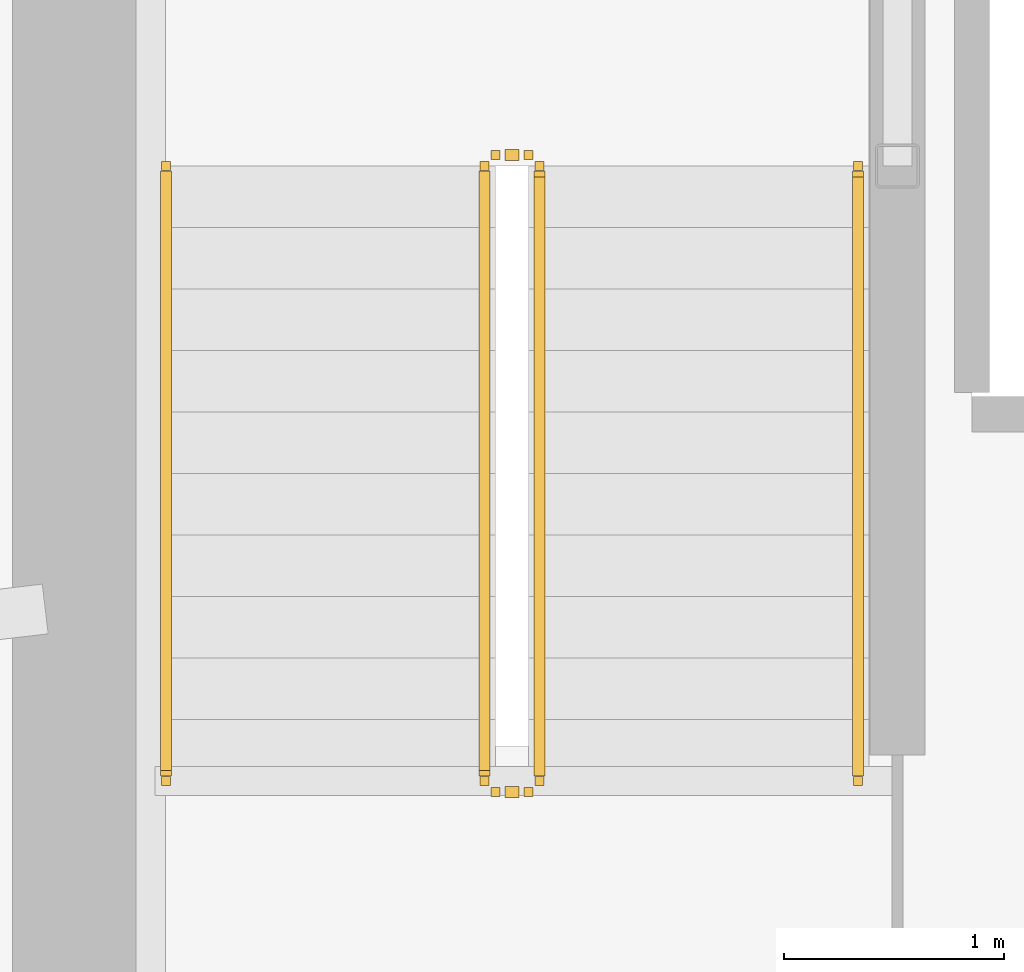
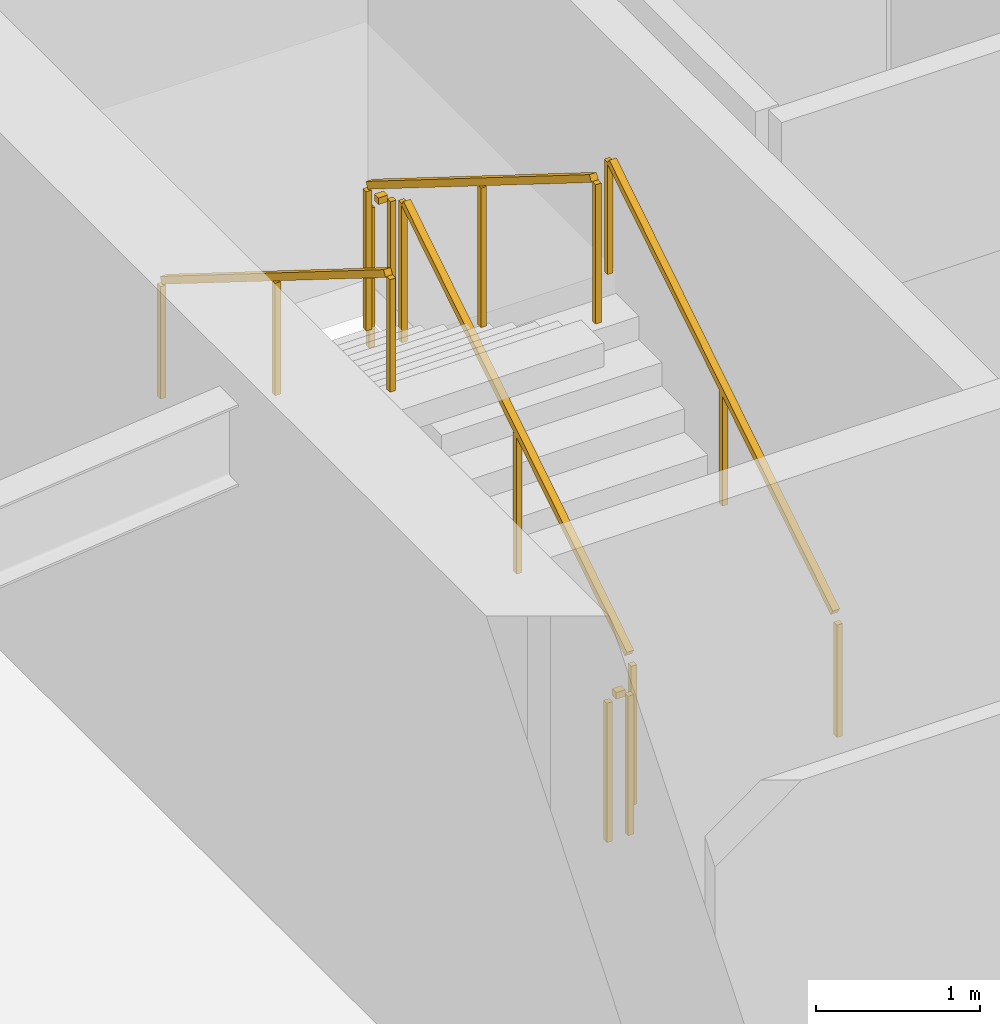
# One storey, part 26 of 31: 6 railings.
"""IFC4 building model written with IfcOpenShell, lengths in metres."""

from ifc_helpers import new_model, si_unit, direction, frame, origin, origin_2d, place, context, subcontext, project, spatial, rectangle, extrude, material, type_object, element, save


model = new_model("IFC4")

# Units and contexts
model_context = context("Model", 3, precision=1e-05, world=origin(), true_north=direction((0.0, 1.0)))
body_context = subcontext(model_context, "Body", "Model", "MODEL_VIEW")
ifc_project = project(units=[si_unit("LENGTHUNIT", "METRE"), si_unit("AREAUNIT", "SQUARE_METRE"), si_unit("VOLUMEUNIT", "CUBIC_METRE"), si_unit("PLANEANGLEUNIT", "RADIAN"), si_unit("MASSUNIT", "GRAM", prefix="KILO")], contexts=[model_context])

# Site, building, storey
site_placement = place(None, origin())
site = spatial("IfcSite", under=ifc_project, at=site_placement, CompositionType="ELEMENT")
building_placement = place(site_placement, origin())
building = spatial("IfcBuilding", under=site, at=building_placement, Name="Kazma Halo Residences", CompositionType="ELEMENT")
storey_placement = place(building_placement, frame((0.0, 0.0, 271.35009765625)))
storey = spatial("IfcBuildingStorey", under=building, at=storey_placement, Name="L68", CompositionType="ELEMENT", Elevation=271.35009765625)

# Railings
ifc_material_1 = material(Name="Painted Steel S355", Category="steel")
railing_type_1 = type_object("IfcRailingType", Name="RLG-STAIR-GRD-1100", PredefinedType="GUARDRAIL", material=ifc_material_1)
railing_1_placement = place(storey_placement, frame((39.550048828125, 39.949951171875, 0.1748046875)))
element("IfcRailing", 1, at=railing_1_placement, inside=storey, type_object=railing_type_1, Name="L68 ST-01 stair guard 1", PredefinedType="GUARDRAIL", context=body_context, shape_type="SweptSolid", body=[
    extrude(rectangle(XDim=0.050048828125, YDim=0.050048828125, at=origin_2d()), frame((0.0, 0.0361328125, 1.09765625), z_axis=(0.0, 0.848002457836, 0.529992293815), x_axis=(-1.0, 0.0, 0.0)), (0.0, 0.0, 1.0), 3.216796875),
    extrude(rectangle(XDim=0.0400390625, YDim=0.0400390625, at=origin_2d()), origin(), (0.0, 0.0, 1.0), 1.0380859375),
    extrude(rectangle(XDim=0.0400390625, YDim=0.0400390625, at=origin_2d()), frame((0.0, 1.39990234375, 0.875)), (0.0, 0.0, 1.0), 1.0380859375),
    extrude(rectangle(XDim=0.0400390625, YDim=0.0400390625, at=origin_2d()), frame((0.0, 2.800048828125, 1.75)), (0.0, 0.0, 1.0), 1.0380859375),
])
railing_2_placement = place(storey_placement, frame((39.5, 42.800048828125, 1.9248046875)))
element("IfcRailing", 2, at=railing_2_placement, inside=storey, type_object=railing_type_1, Name="L68 ST-01 stair guard 2", PredefinedType="GUARDRAIL", context=body_context, shape_type="SweptSolid", body=[
    extrude(rectangle(XDim=0.050048828125, YDim=0.050048828125, at=origin_2d()), frame((-0.04248046875, 0.0, 1.0751953125), z_axis=(-1.0, 0.0, 0.0), x_axis=(0.0, -1.0, 0.0)), (0.0, 0.0, 1.0), 0.06494140625),
    extrude(rectangle(XDim=0.0400390625, YDim=0.0400390625, at=origin_2d()), origin(), (0.0, 0.0, 1.0), 1.0380859375),
    extrude(rectangle(XDim=0.0400390625, YDim=0.0400390625, at=origin_2d()), frame((-0.14990234375, 0.0, 0.0)), (0.0, 0.0, 1.0), 1.0380859375),
])
railing_3_placement = place(storey_placement, frame((39.300048828125, 42.75, 2.099853515625)))
element("IfcRailing", 3, at=railing_3_placement, inside=storey, type_object=railing_type_1, Name="L68 ST-01 stair guard 3", PredefinedType="GUARDRAIL", context=body_context, shape_type="SweptSolid", body=[
    extrude(rectangle(XDim=0.050048828125, YDim=0.050048828125, at=origin_2d()), frame((0.0, -0.0361328125, 1.09765625), z_axis=(0.0, -0.848002457836, 0.529992293815), x_axis=(1.0, 0.0, 0.0)), (0.0, 0.0, 1.0), 3.216796875),
    extrude(rectangle(XDim=0.0400390625, YDim=0.0400390625, at=origin_2d()), origin(), (0.0, 0.0, 1.0), 1.0380859375),
    extrude(rectangle(XDim=0.0400390625, YDim=0.0400390625, at=origin_2d()), frame((0.0, -1.39990234375, 0.875)), (0.0, 0.0, 1.0), 1.0380859375),
    extrude(rectangle(XDim=0.0400390625, YDim=0.0400390625, at=origin_2d()), frame((0.0, -2.800048828125, 1.75)), (0.0, 0.0, 1.0), 1.0380859375),
])
railing_4_placement = place(storey_placement, frame((39.5, 39.89990234375, 0.0)))
element("IfcRailing", 4, at=railing_4_placement, inside=storey, type_object=railing_type_1, Name="L68 ST-01 stair guard 4", PredefinedType="GUARDRAIL", context=body_context, shape_type="SweptSolid", body=[
    extrude(rectangle(XDim=0.050048828125, YDim=0.050048828125, at=origin_2d()), frame((-0.04248046875, 0.0, 1.0751953125), z_axis=(-1.0, 0.0, 0.0), x_axis=(0.0, -1.0, 0.0)), (0.0, 0.0, 1.0), 0.06494140625),
    extrude(rectangle(XDim=0.0400390625, YDim=0.0400390625, at=origin_2d()), origin(), (0.0, 0.0, 1.0), 1.0380859375),
    extrude(rectangle(XDim=0.0400390625, YDim=0.0400390625, at=origin_2d()), frame((-0.14990234375, 0.0, 0.0)), (0.0, 0.0, 1.0), 1.0380859375),
])
ifc_material_2 = material(Name="Brushed Stainless Steel", Category="steel")
railing_type_2 = type_object("IfcRailingType", Name="RLG-STAIR-HND-900", PredefinedType="HANDRAIL", material=ifc_material_2)
railing_5_placement = place(storey_placement, frame((41.0, 39.949951171875, 0.1748046875)))
element("IfcRailing", 5, at=railing_5_placement, inside=storey, type_object=railing_type_2, Name="L68 ST-01 stair handrail 1", PredefinedType="HANDRAIL", context=body_context, shape_type="SweptSolid", body=[
    extrude(rectangle(XDim=0.050048828125, YDim=0.050048828125, at=origin_2d()), frame((0.0, 0.0361328125, 0.8974609375), z_axis=(0.0, 0.848002457836, 0.529992293815), x_axis=(-1.0, 0.0, 0.0)), (0.0, 0.0, 1.0), 3.216796875),
    extrude(rectangle(XDim=0.0400390625, YDim=0.0400390625, at=origin_2d()), origin(), (0.0, 0.0, 1.0), 0.837890625),
    extrude(rectangle(XDim=0.0400390625, YDim=0.0400390625, at=origin_2d()), frame((0.0, 1.39990234375, 0.875)), (0.0, 0.0, 1.0), 0.837890625),
    extrude(rectangle(XDim=0.0400390625, YDim=0.0400390625, at=origin_2d()), frame((0.0, 2.800048828125, 1.75)), (0.0, 0.0, 1.0), 0.837890625),
])
railing_6_placement = place(storey_placement, frame((37.85009765625, 42.75, 2.099853515625)))
element("IfcRailing", 6, at=railing_6_placement, inside=storey, type_object=railing_type_2, Name="L68 ST-01 stair handrail 2", PredefinedType="HANDRAIL", context=body_context, shape_type="SweptSolid", body=[
    extrude(rectangle(XDim=0.050048828125, YDim=0.050048828125, at=origin_2d()), frame((0.0, -0.0361328125, 0.8974609375), z_axis=(0.0, -0.848002457836, 0.529992293815), x_axis=(1.0, 0.0, 0.0)), (0.0, 0.0, 1.0), 3.216796875),
    extrude(rectangle(XDim=0.0400390625, YDim=0.0400390625, at=origin_2d()), origin(), (0.0, 0.0, 1.0), 0.837890625),
    extrude(rectangle(XDim=0.0400390625, YDim=0.0400390625, at=origin_2d()), frame((0.0, -1.39990234375, 0.875)), (0.0, 0.0, 1.0), 0.837890625),
    extrude(rectangle(XDim=0.0400390625, YDim=0.0400390625, at=origin_2d()), frame((0.0, -2.800048828125, 1.75)), (0.0, 0.0, 1.0), 0.837890625),
])

save(model, "model.ifc")
